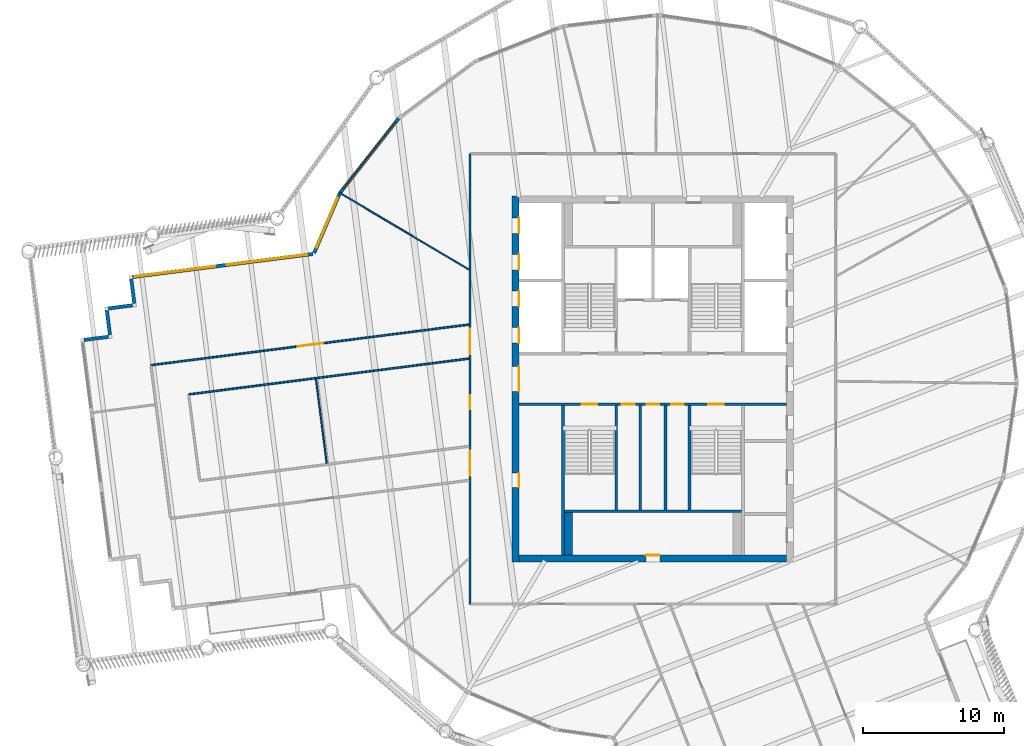
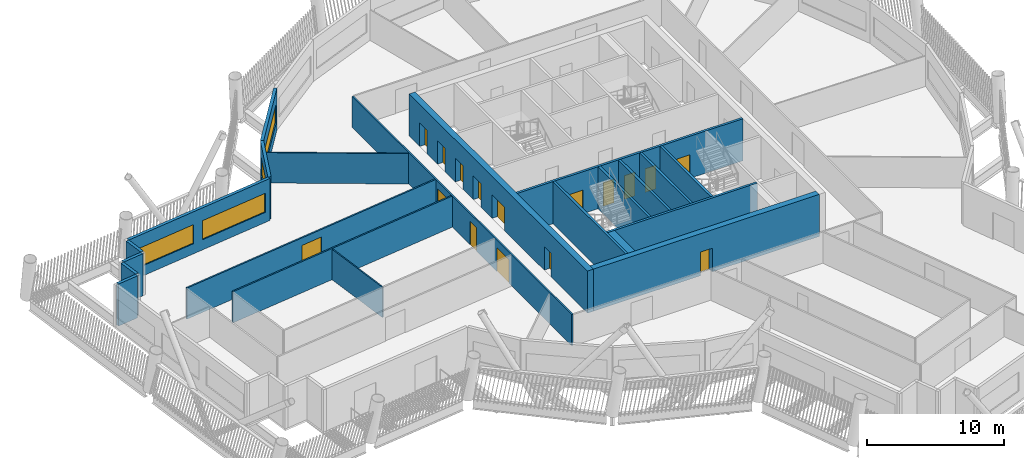
# One storey, part 4 of 20: 22 walls, 16 doors, 4 windows, 20 openings.
"""IFC4 building model written with IfcOpenShell, lengths in metres."""

from ifc_helpers import new_model, si_unit, direction, frame, frame_2d, origin, place, context, subcontext, project, spatial, rectangle, extrude, material, layer, layer_set, type_object, element, fill, save


model = new_model("IFC4")

# Units and contexts
model_context = context("Model", 3, precision=1e-05, world=origin(), true_north=direction((0.0, 1.0)))
body_context = subcontext(model_context, "Body", "Model", "MODEL_VIEW")
ifc_project = project(units=[si_unit("LENGTHUNIT", "METRE"), si_unit("AREAUNIT", "SQUARE_METRE"), si_unit("VOLUMEUNIT", "CUBIC_METRE"), si_unit("PLANEANGLEUNIT", "RADIAN"), si_unit("MASSUNIT", "GRAM", prefix="KILO")], contexts=[model_context])

# Site, building, storey
site_placement = place(None, origin())
site = spatial("IfcSite", under=ifc_project, at=site_placement, CompositionType="ELEMENT")
building_placement = place(site_placement, origin())
building = spatial("IfcBuilding", under=site, at=building_placement, Name="Tarsis Ring Headquarters", CompositionType="ELEMENT")
storey_placement = place(building_placement, frame((0.0, 0.0, 315.800048828125)))
storey = spatial("IfcBuildingStorey", under=building, at=storey_placement, Name="L74", CompositionType="ELEMENT", Elevation=315.800048828125)

# Walls
ifc_material_1 = material(Name="Blockwork", Category="masonry")
ifc_layer_1 = layer(ifc_material_1, 0.199951171875)
ifc_layer_set_1 = layer_set([ifc_layer_1], Name="Core blockwork wall 200")
wall_type_1 = type_object("IfcWallType", Name="Core blockwork wall 200", PredefinedType="PARTITIONING", material=ifc_layer_set_1)
for number, where, z_axis, x_axis, name in (
    (1, (-0.89990234375, -9.300048828125, 0.0), (0.0, 0.0, 1.0), (0.0, 1.0, 0.0), "Core partition SV1"),
    (2, (0.89990234375, -9.300048828125, 0.0), (0.0, 0.0, 1.0), (0.0, 1.0, 0.0), "Core partition SV2"),
):
    element("IfcWall", number, at=place(storey_placement, frame(where, z_axis=z_axis, x_axis=x_axis)), inside=storey, type_object=wall_type_1, Name=name, PredefinedType="PARTITIONING", context=body_context, shape_type="SweptSolid", body=[
        extrude(rectangle(XDim=7.400146484375, YDim=0.199951171875, at=frame_2d((3.7001953125, 0.0))), origin(), (0.0, 0.0, 1.0), 3.739990234375),
    ])

# Wall, openings, doors
ifc_material_2 = material(Name="Concrete C50/60", Category="concrete")
ifc_layer_2 = layer(ifc_material_2, 0.5)
ifc_layer_set_2 = layer_set([ifc_layer_2], Name="Core wall 500 C50/60")
wall_type_2 = type_object("IfcWallType", Name="Core wall 500 C50/60", PredefinedType="SHEAR", material=ifc_layer_set_2)
wall_1_placement = place(storey_placement, frame((-9.75, -13.0, 0.0), z_axis=(0.0, 0.0, 1.0), x_axis=(0.0, 1.0, 0.0)))
wall_1 = element("IfcWall", 3, at=wall_1_placement, inside=storey, type_object=wall_type_2, Name="Core wall OW", PredefinedType="SHEAR", context=body_context, shape_type="SweptSolid", body=[
    extrude(rectangle(XDim=26.0, YDim=0.5, at=frame_2d((13.0, 0.0))), origin(), (0.0, 0.0, 1.0), 3.739990234375),
])
opening_1_placement = place(wall_1_placement, frame((5.300048828125, 0.0, 0.0)))
opening_1 = element("IfcOpeningElement", 4, at=opening_1_placement, cuts=wall_1, Name="Opening L74-C01", PredefinedType="OPENING", context=body_context, shape_type="SweptSolid", body=[
    extrude(rectangle(XDim=1.0, YDim=2.10009765625, at=frame_2d((0.5, 1.050048828125))), frame((0.0, 0.260009765625, 0.0), z_axis=(0.0, -1.0, 0.0), x_axis=(1.0, 0.0, 0.0)), (0.0, 0.0, 1.0), 0.52001953125),
])
opening_2_placement = place(wall_1_placement, frame((12.10009765625, 0.0, 0.0)))
opening_2 = element("IfcOpeningElement", 5, at=opening_2_placement, cuts=wall_1, Name="Opening L74-C02", PredefinedType="OPENING", context=body_context, shape_type="SweptSolid", body=[
    extrude(rectangle(XDim=1.800048828125, YDim=2.10009765625, at=frame_2d((0.89990234375, 1.050048828125))), frame((0.0, 0.260009765625, 0.0), z_axis=(0.0, -1.0, 0.0), x_axis=(1.0, 0.0, 0.0)), (0.0, 0.0, 1.0), 0.52001953125),
])
opening_3_placement = place(wall_1_placement, frame((15.550048828125, 0.0, 0.0)))
opening_3 = element("IfcOpeningElement", 6, at=opening_3_placement, cuts=wall_1, Name="Opening LD-HR1", PredefinedType="OPENING", context=body_context, shape_type="SweptSolid", body=[
    extrude(rectangle(XDim=1.10009765625, YDim=2.10009765625, at=frame_2d((0.550048828125, 1.050048828125))), frame((0.0, 0.260009765625, 0.0), z_axis=(0.0, -1.0, 0.0), x_axis=(1.0, 0.0, 0.0)), (0.0, 0.0, 1.0), 0.52001953125),
])
opening_4_placement = place(wall_1_placement, frame((18.14990234375, 0.0, 0.0)))
opening_4 = element("IfcOpeningElement", 7, at=opening_4_placement, cuts=wall_1, Name="Opening LD-HR2", PredefinedType="OPENING", context=body_context, shape_type="SweptSolid", body=[
    extrude(rectangle(XDim=1.10009765625, YDim=2.10009765625, at=frame_2d((0.550048828125, 1.050048828125))), frame((0.0, 0.260009765625, 0.0), z_axis=(0.0, -1.0, 0.0), x_axis=(1.0, 0.0, 0.0)), (0.0, 0.0, 1.0), 0.52001953125),
])
opening_5_placement = place(wall_1_placement, frame((20.75, 0.0, 0.0)))
opening_5 = element("IfcOpeningElement", 8, at=opening_5_placement, cuts=wall_1, Name="Opening LD-HR3", PredefinedType="OPENING", context=body_context, shape_type="SweptSolid", body=[
    extrude(rectangle(XDim=1.10009765625, YDim=2.10009765625, at=frame_2d((0.550048828125, 1.050048828125))), frame((0.0, 0.260009765625, 0.0), z_axis=(0.0, -1.0, 0.0), x_axis=(1.0, 0.0, 0.0)), (0.0, 0.0, 1.0), 0.52001953125),
])
opening_6_placement = place(wall_1_placement, frame((23.35009765625, 0.0, 0.0)))
opening_6 = element("IfcOpeningElement", 9, at=opening_6_placement, cuts=wall_1, Name="Opening LD-HR4", PredefinedType="OPENING", context=body_context, shape_type="SweptSolid", body=[
    extrude(rectangle(XDim=1.10009765625, YDim=2.10009765625, at=frame_2d((0.550048828125, 1.050048828125))), frame((0.0, 0.260009765625, 0.0), z_axis=(0.0, -1.0, 0.0), x_axis=(1.0, 0.0, 0.0)), (0.0, 0.0, 1.0), 0.52001953125),
])
ifc_material_3 = material(Name="Steel S355", Category="steel")
door_type_1 = type_object("IfcDoorType", Name="Core entry door 1800x2100", OperationType="DOUBLE_DOOR_SINGLE_SWING", PredefinedType="DOOR", material=ifc_material_3)
door_1_placement = place(opening_2_placement, origin())
door_1 = element("IfcDoor", 10, at=door_1_placement, inside=storey, type_object=door_type_1, Name="Core entry door L74", OperationType="DOUBLE_DOOR_SINGLE_SWING", OverallHeight=2.10009765625, OverallWidth=1.800048828125, PredefinedType="DOOR", context=body_context, shape_type="SweptSolid", body=[
    extrude(rectangle(XDim=1.800048828125, YDim=2.10009765625, at=frame_2d((0.89990234375, 1.050048828125))), frame((0.0, -0.2001953125, 0.0), z_axis=(0.0, -1.0, 0.0), x_axis=(1.0, 0.0, 0.0)), (0.0, 0.0, 1.0), 0.050048828125),
])
fill(opening_2, door_1)
door_type_2 = type_object("IfcDoorType", Name="Core room door 1000x2100", OperationType="SINGLE_SWING_LEFT", PredefinedType="DOOR", material=ifc_material_3)
door_2_placement = place(opening_1_placement, origin())
door_2 = element("IfcDoor", 11, at=door_2_placement, inside=storey, type_object=door_type_2, Name="Core room door L74", OperationType="SINGLE_SWING_LEFT", OverallHeight=2.10009765625, OverallWidth=1.0, PredefinedType="DOOR", context=body_context, shape_type="SweptSolid", body=[
    extrude(rectangle(XDim=1.0, YDim=2.10009765625, at=frame_2d((0.5, 1.050048828125))), frame((0.0, -0.2001953125, 0.0), z_axis=(0.0, -1.0, 0.0), x_axis=(1.0, 0.0, 0.0)), (0.0, 0.0, 1.0), 0.050048828125),
])
fill(opening_1, door_2)
door_type_3 = type_object("IfcDoorType", Name="Landing door 1100x2100", OperationType="SLIDING_TO_LEFT", PredefinedType="DOOR", material=ifc_material_3)
door_3_placement = place(opening_3_placement, origin())
door_3 = element("IfcDoor", 12, at=door_3_placement, inside=storey, type_object=door_type_3, Name="Landing door HR1 L74", OperationType="SLIDING_TO_LEFT", OverallHeight=2.10009765625, OverallWidth=1.10009765625, PredefinedType="DOOR", context=body_context, shape_type="SweptSolid", body=[
    extrude(rectangle(XDim=1.10009765625, YDim=2.10009765625, at=frame_2d((0.550048828125, 1.050048828125))), frame((0.0, -0.2001953125, 0.0), z_axis=(0.0, -1.0, 0.0), x_axis=(1.0, 0.0, 0.0)), (0.0, 0.0, 1.0), 0.050048828125),
])
fill(opening_3, door_3)
door_4_placement = place(opening_4_placement, origin())
door_4 = element("IfcDoor", 13, at=door_4_placement, inside=storey, type_object=door_type_3, Name="Landing door HR2 L74", OperationType="SLIDING_TO_LEFT", OverallHeight=2.10009765625, OverallWidth=1.10009765625, PredefinedType="DOOR", context=body_context, shape_type="SweptSolid", body=[
    extrude(rectangle(XDim=1.10009765625, YDim=2.10009765625, at=frame_2d((0.550048828125, 1.050048828125))), frame((0.0, -0.2001953125, 0.0), z_axis=(0.0, -1.0, 0.0), x_axis=(1.0, 0.0, 0.0)), (0.0, 0.0, 1.0), 0.050048828125),
])
fill(opening_4, door_4)
door_5_placement = place(opening_5_placement, origin())
door_5 = element("IfcDoor", 14, at=door_5_placement, inside=storey, type_object=door_type_3, Name="Landing door HR3 L74", OperationType="SLIDING_TO_LEFT", OverallHeight=2.10009765625, OverallWidth=1.10009765625, PredefinedType="DOOR", context=body_context, shape_type="SweptSolid", body=[
    extrude(rectangle(XDim=1.10009765625, YDim=2.10009765625, at=frame_2d((0.550048828125, 1.050048828125))), frame((0.0, -0.2001953125, 0.0), z_axis=(0.0, -1.0, 0.0), x_axis=(1.0, 0.0, 0.0)), (0.0, 0.0, 1.0), 0.050048828125),
])
fill(opening_5, door_5)
door_6_placement = place(opening_6_placement, origin())
door_6 = element("IfcDoor", 15, at=door_6_placement, inside=storey, type_object=door_type_3, Name="Landing door HR4 L74", OperationType="SLIDING_TO_LEFT", OverallHeight=2.10009765625, OverallWidth=1.10009765625, PredefinedType="DOOR", context=body_context, shape_type="SweptSolid", body=[
    extrude(rectangle(XDim=1.10009765625, YDim=2.10009765625, at=frame_2d((0.550048828125, 1.050048828125))), frame((0.0, -0.2001953125, 0.0), z_axis=(0.0, -1.0, 0.0), x_axis=(1.0, 0.0, 0.0)), (0.0, 0.0, 1.0), 0.050048828125),
])
fill(opening_6, door_6)

# Wall, opening, door
wall_2_placement = place(storey_placement, frame((-9.5, -12.75, 0.0), z_axis=(0.0, 0.0, 1.0), x_axis=(1.0, 0.0, 0.0)))
wall_2 = element("IfcWall", 16, at=wall_2_placement, inside=storey, type_object=wall_type_2, Name="Core wall OS", PredefinedType="SHEAR", context=body_context, shape_type="SweptSolid", body=[
    extrude(rectangle(XDim=19.0, YDim=0.5, at=frame_2d((9.5, 0.0))), origin(), (0.0, 0.0, 1.0), 3.739990234375),
])
opening_7_placement = place(wall_2_placement, frame((9.0, 0.0, 0.0)))
opening_7 = element("IfcOpeningElement", 17, at=opening_7_placement, cuts=wall_2, Name="Opening L74-C17", PredefinedType="OPENING", context=body_context, shape_type="SweptSolid", body=[
    extrude(rectangle(XDim=1.0, YDim=2.10009765625, at=frame_2d((0.5, 1.050048828125))), frame((0.0, 0.260009765625, 0.0), z_axis=(0.0, -1.0, 0.0), x_axis=(1.0, 0.0, 0.0)), (0.0, 0.0, 1.0), 0.52001953125),
])
door_7_placement = place(opening_7_placement, origin())
door_7 = element("IfcDoor", 18, at=door_7_placement, inside=storey, type_object=door_type_2, Name="Core room door L74", OperationType="SINGLE_SWING_LEFT", OverallHeight=2.10009765625, OverallWidth=1.0, PredefinedType="DOOR", context=body_context, shape_type="SweptSolid", body=[
    extrude(rectangle(XDim=1.0, YDim=2.10009765625, at=frame_2d((0.5, 1.050048828125))), frame((0.0, 0.25, 0.0), z_axis=(0.0, -1.0, 0.0), x_axis=(1.0, 0.0, 0.0)), (0.0, 0.0, 1.0), 0.050048828125),
])
fill(opening_7, door_7)

# Walls
ifc_material_4 = material(Name="Gypsum board on steel studs", Category="steel")
ifc_layer_3 = layer(ifc_material_4, 0.10009765625)
ifc_layer_set_3 = layer_set([ifc_layer_3], Name="FL partition 100 unrated")
wall_type_3 = type_object("IfcWallType", Name="FL partition 100 unrated", PredefinedType="PARTITIONING", material=ifc_layer_set_3)
wall_3_placement = place(storey_placement, frame((-22.306640625, 13.25537109375, 0.0), z_axis=(0.0, 0.0, 1.0), x_axis=(0.859670314919, -0.510849243561, 0.0)))
element("IfcWall", 19, at=wall_3_placement, inside=storey, type_object=wall_type_3, Name="Partition PW3", PredefinedType="PARTITIONING", context=body_context, shape_type="SweptSolid", body=[
    extrude(rectangle(XDim=10.73583984375, YDim=0.10009765625, at=frame_2d((5.367919921875, 0.0))), origin(), (0.0, 0.0, 1.0), 2.699951171875),
])
wall_4_placement = place(storey_placement, frame((-23.941162109375, -0.013916015625, 0.0), z_axis=(0.0, 0.0, 1.0), x_axis=(0.126720741066, -0.991938432456, 0.0)))
element("IfcWall", 20, at=wall_4_placement, inside=storey, type_object=wall_type_3, Name="Partition PW3", PredefinedType="PARTITIONING", context=body_context, shape_type="SweptSolid", body=[
    extrude(rectangle(XDim=6.039794921875, YDim=0.10009765625, at=frame_2d((3.02001953125, 0.0))), origin(), (0.0, 0.0, 1.0), 2.699951171875),
])

# Wall, openings, doors
ifc_layer_4 = layer(ifc_material_4, 0.125)
ifc_layer_set_4 = layer_set([ifc_layer_4], Name="FL partition 125 EI 60 H2770")
wall_type_4 = type_object("IfcWallType", Name="FL partition 125 EI 60 H2770", PredefinedType="PARTITIONING", material=ifc_layer_set_4)
wall_5_placement = place(storey_placement, frame((-13.0, -16.0, 0.0), z_axis=(0.0, 0.0, 1.0), x_axis=(0.0, 1.0, 0.0)))
wall_5 = element("IfcWall", 21, at=wall_5_placement, inside=storey, type_object=wall_type_4, Name="Partition PW1", PredefinedType="PARTITIONING", context=body_context, shape_type="SweptSolid", body=[
    extrude(rectangle(XDim=32.0, YDim=0.125, at=frame_2d((16.0, 0.0))), origin(), (0.0, 0.0, 1.0), 2.77001953125),
])
opening_8_placement = place(wall_5_placement, frame((13.83935546875, 0.0, 0.0)))
opening_8 = element("IfcOpeningElement", 22, at=opening_8_placement, cuts=wall_5, Name="Opening D74.12", PredefinedType="OPENING", context=body_context, shape_type="SweptSolid", body=[
    extrude(rectangle(XDim=1.0, YDim=2.10009765625, at=frame_2d((0.5, 1.050048828125))), frame((0.0, 0.072509765625, 0.0), z_axis=(0.0, -1.0, 0.0), x_axis=(1.0, 0.0, 0.0)), (0.0, 0.0, 1.0), 0.14501953125),
])
opening_9_placement = place(wall_5_placement, frame((9.114501953125, 0.0, 0.0)))
opening_9 = element("IfcOpeningElement", 23, at=opening_9_placement, cuts=wall_5, Name="Opening D74.16", PredefinedType="OPENING", context=body_context, shape_type="SweptSolid", body=[
    extrude(rectangle(XDim=1.800048828125, YDim=2.10009765625, at=frame_2d((0.89990234375, 1.050048828125))), frame((0.0, 0.072509765625, 0.0), z_axis=(0.0, -1.0, 0.0), x_axis=(1.0, 0.0, 0.0)), (0.0, 0.0, 1.0), 0.14501953125),
])
opening_10_placement = place(wall_5_placement, frame((17.76416015625, 0.0, 0.0)))
opening_10 = element("IfcOpeningElement", 24, at=opening_10_placement, cuts=wall_5, Name="Opening D74.17", PredefinedType="OPENING", context=body_context, shape_type="SweptSolid", body=[
    extrude(rectangle(XDim=1.800048828125, YDim=2.10009765625, at=frame_2d((0.89990234375, 1.050048828125))), frame((0.0, 0.072509765625, 0.0), z_axis=(0.0, -1.0, 0.0), x_axis=(1.0, 0.0, 0.0)), (0.0, 0.0, 1.0), 0.14501953125),
])
ifc_material_5 = material(Name="Fire-rated timber door leaf in steel frame", Category="steel")
door_type_4 = type_object("IfcDoorType", Name="FL door FD60-1000", OperationType="NOTDEFINED", PredefinedType="DOOR", material=ifc_material_5)
door_8_placement = place(opening_8_placement, origin())
door_8 = element("IfcDoor", 25, at=door_8_placement, inside=storey, type_object=door_type_4, Name="Door D74.12", OperationType="SINGLE_SWING_RIGHT", OverallHeight=2.10009765625, OverallWidth=1.0, PredefinedType="DOOR", context=body_context, shape_type="SweptSolid", body=[
    extrude(rectangle(XDim=1.0, YDim=2.10009765625, at=frame_2d((0.5, 1.050048828125))), frame((0.0, 0.02490234375, 0.0), z_axis=(0.0, -1.0, 0.0), x_axis=(1.0, 0.0, 0.0)), (0.0, 0.0, 1.0), 0.050048828125),
])
fill(opening_8, door_8)
door_type_5 = type_object("IfcDoorType", Name="FL door FD60-1800", OperationType="DOUBLE_DOOR_SINGLE_SWING", PredefinedType="DOOR", material=ifc_material_5)
door_9_placement = place(opening_9_placement, origin())
door_9 = element("IfcDoor", 26, at=door_9_placement, inside=storey, type_object=door_type_5, Name="Door D74.16", OperationType="DOUBLE_DOOR_SINGLE_SWING", OverallHeight=2.10009765625, OverallWidth=1.800048828125, PredefinedType="DOOR", context=body_context, shape_type="SweptSolid", body=[
    extrude(rectangle(XDim=1.800048828125, YDim=2.10009765625, at=frame_2d((0.89990234375, 1.050048828125))), frame((0.0, 0.02490234375, 0.0), z_axis=(0.0, -1.0, 0.0), x_axis=(1.0, 0.0, 0.0)), (0.0, 0.0, 1.0), 0.050048828125),
])
fill(opening_9, door_9)
door_10_placement = place(opening_10_placement, origin())
door_10 = element("IfcDoor", 27, at=door_10_placement, inside=storey, type_object=door_type_5, Name="Door D74.17", OperationType="DOUBLE_DOOR_SINGLE_SWING", OverallHeight=2.10009765625, OverallWidth=1.800048828125, PredefinedType="DOOR", context=body_context, shape_type="SweptSolid", body=[
    extrude(rectangle(XDim=1.800048828125, YDim=2.10009765625, at=frame_2d((0.89990234375, 1.050048828125))), frame((0.0, 0.02490234375, 0.0), z_axis=(0.0, -1.0, 0.0), x_axis=(1.0, 0.0, 0.0)), (0.0, 0.0, 1.0), 0.050048828125),
])
fill(opening_10, door_10)

# Wall, opening, door
wall_6_placement = place(storey_placement, frame((-35.67138671875, 0.977783203125, 0.0), z_axis=(0.0, 0.0, 1.0), x_axis=(0.991939639281, 0.126711293981, 0.0)))
wall_6 = element("IfcWall", 28, at=wall_6_placement, inside=storey, type_object=wall_type_4, Name="Partition PW1", PredefinedType="PARTITIONING", context=body_context, shape_type="SweptSolid", body=[
    extrude(rectangle(XDim=22.78564453125, YDim=0.125, at=frame_2d((11.392822265625, 0.0))), origin(), (0.0, 0.0, 1.0), 2.77001953125),
])
opening_11_placement = place(wall_6_placement, frame((10.52783203125, 0.0, 0.0)))
opening_11 = element("IfcOpeningElement", 29, at=opening_11_placement, cuts=wall_6, Name="Opening D74.02", PredefinedType="OPENING", context=body_context, shape_type="SweptSolid", body=[
    extrude(rectangle(XDim=1.800048828125, YDim=2.10009765625, at=frame_2d((0.89990234375, 1.050048828125))), frame((0.0, 0.072509765625, 0.0), z_axis=(0.0, -1.0, 0.0), x_axis=(1.0, 0.0, 0.0)), (0.0, 0.0, 1.0), 0.14501953125),
])
door_11_placement = place(opening_11_placement, origin())
door_11 = element("IfcDoor", 30, at=door_11_placement, inside=storey, type_object=door_type_5, Name="Door D74.02", OperationType="DOUBLE_DOOR_SINGLE_SWING", OverallHeight=2.10009765625, OverallWidth=1.800048828125, PredefinedType="DOOR", context=body_context, shape_type="SweptSolid", body=[
    extrude(rectangle(XDim=1.800048828125, YDim=2.10009765625, at=frame_2d((0.89990234375, 1.050048828125))), frame((0.0, 0.02490234375, 0.0), z_axis=(0.0, -1.0, 0.0), x_axis=(1.0, 0.0, 0.0)), (0.0, 0.0, 1.0), 0.050048828125),
])
fill(opening_11, door_11)

# Wall
wall_7_placement = place(storey_placement, frame((-32.98681640625, -1.098876953125, 0.0), z_axis=(0.0, 0.0, 1.0), x_axis=(0.991938662268, 0.126718942146, 0.0)))
element("IfcWall", 31, at=wall_7_placement, inside=storey, type_object=wall_type_4, Name="Partition PW1", PredefinedType="PARTITIONING", context=body_context, shape_type="SweptSolid", body=[
    extrude(rectangle(XDim=20.079345703125, YDim=0.125, at=frame_2d((10.03955078125, 0.0))), origin(), (0.0, 0.0, 1.0), 2.77001953125),
])

# Wall, opening, window
ifc_material_6 = material(Name="Terracotta clad insulated panel wall", Category="masonry")
ifc_layer_5 = layer(ifc_material_6, 0.25)
ifc_layer_set_5 = layer_set([ifc_layer_5], Name="Facade wall terracotta panel 250")
wall_type_5 = type_object("IfcWallType", Name="Facade wall terracotta panel 250", PredefinedType="STANDARD", material=ifc_layer_set_5)
wall_8_placement = place(storey_placement, frame((-18.074462890625, 18.51123046875, 0.0), z_axis=(0.0, 0.0, 1.0), x_axis=(-0.6186745859, -0.785647348854, 0.0)))
wall_8 = element("IfcWall", 32, at=wall_8_placement, inside=storey, type_object=wall_type_5, Name="External wall L74-29", PredefinedType="STANDARD", context=body_context, shape_type="SweptSolid", body=[
    extrude(rectangle(XDim=6.721435546875, YDim=0.25, at=frame_2d((3.36083984375, 0.0))), origin(), (0.0, 0.0, 1.0), 3.739990234375),
])
opening_12_placement = place(wall_8_placement, frame((0.3857421875, 0.0, 0.89990234375)))
opening_12 = element("IfcOpeningElement", 33, at=opening_12_placement, cuts=wall_8, Name="Opening WN07", PredefinedType="OPENING", context=body_context, shape_type="SweptSolid", body=[
    extrude(rectangle(XDim=5.949951171875, YDim=1.699951171875, at=frame_2d((2.97509765625, 0.85009765625))), frame((0.0, 0.135009765625, 0.0), z_axis=(0.0, -1.0, 0.0), x_axis=(1.0, 0.0, 0.0)), (0.0, 0.0, 1.0), 0.27001953125),
])
ifc_material_7 = material(Name="Aluminium framed double glazing", Category="aluminium")
window_type_1 = type_object("IfcWindowType", Name="Facade window 5950 x 1700", PartitioningType="SINGLE_PANEL", PredefinedType="WINDOW", material=ifc_material_7)
window_1_placement = place(opening_12_placement, origin())
window_1 = element("IfcWindow", 34, at=window_1_placement, inside=storey, type_object=window_type_1, Name="Window L74-29.1", OverallHeight=1.699951171875, OverallWidth=5.949951171875, PartitioningType="SINGLE_PANEL", PredefinedType="WINDOW", context=body_context, shape_type="SweptSolid", body=[
    extrude(rectangle(XDim=5.949951171875, YDim=1.699951171875, at=frame_2d((2.97509765625, 0.85009765625))), frame((0.0, 0.030029296875, 0.0), z_axis=(0.0, -1.0, 0.0), x_axis=(1.0, 0.0, 0.0)), (0.0, 0.0, 1.0), 0.06005859375),
])
fill(opening_12, window_1)

wall_9_placement = place(storey_placement, frame((-22.24951171875, 13.202392578125, 0.0), z_axis=(0.0, 0.0, 1.0), x_axis=(-0.394302113854, -0.91898087195, 0.0)))
wall_9 = element("IfcWall", 35, at=wall_9_placement, inside=storey, type_object=wall_type_5, Name="External wall L74-30", PredefinedType="STANDARD", context=body_context, shape_type="SweptSolid", body=[
    extrude(rectangle(XDim=4.61767578125, YDim=0.25, at=frame_2d((2.308837890625, 0.0))), origin(), (0.0, 0.0, 1.0), 3.739990234375),
])
opening_13_placement = place(wall_9_placement, frame((0.367431640625, 0.0, 0.89990234375)))
opening_13 = element("IfcOpeningElement", 36, at=opening_13_placement, cuts=wall_9, Name="Opening WN02", PredefinedType="OPENING", context=body_context, shape_type="SweptSolid", body=[
    extrude(rectangle(XDim=3.85009765625, YDim=1.699951171875, at=frame_2d((1.925048828125, 0.85009765625))), frame((0.0, 0.135009765625, 0.0), z_axis=(0.0, -1.0, 0.0), x_axis=(1.0, 0.0, 0.0)), (0.0, 0.0, 1.0), 0.27001953125),
])
window_type_2 = type_object("IfcWindowType", Name="Facade window 3850 x 1700", PartitioningType="SINGLE_PANEL", PredefinedType="WINDOW", material=ifc_material_7)
window_2_placement = place(opening_13_placement, origin())
window_2 = element("IfcWindow", 37, at=window_2_placement, inside=storey, type_object=window_type_2, Name="Window L74-30.1", OverallHeight=1.699951171875, OverallWidth=3.85009765625, PartitioningType="SINGLE_PANEL", PredefinedType="WINDOW", context=body_context, shape_type="SweptSolid", body=[
    extrude(rectangle(XDim=3.85009765625, YDim=1.699951171875, at=frame_2d((1.925048828125, 0.85009765625))), frame((0.0, 0.030029296875, 0.0), z_axis=(0.0, -1.0, 0.0), x_axis=(1.0, 0.0, 0.0)), (0.0, 0.0, 1.0), 0.06005859375),
])
fill(opening_13, window_2)

# Wall, openings, windows
wall_10_placement = place(storey_placement, frame((-24.169189453125, 8.884033203125, 0.0), z_axis=(0.0, 0.0, 1.0), x_axis=(-0.991937080216, -0.126731325617, 0.0)))
wall_10 = element("IfcWall", 38, at=wall_10_placement, inside=storey, type_object=wall_type_5, Name="External wall L74-31", PredefinedType="STANDARD", context=body_context, shape_type="SweptSolid", body=[
    extrude(rectangle(XDim=12.9013671875, YDim=0.25, at=frame_2d((6.45068359375, 0.0))), origin(), (0.0, 0.0, 1.0), 3.739990234375),
])
opening_14_placement = place(wall_10_placement, frame((0.412841796875, 0.0, 0.89990234375)))
opening_14 = element("IfcOpeningElement", 39, at=opening_14_placement, cuts=wall_10, Name="Opening WN06", PredefinedType="OPENING", context=body_context, shape_type="SweptSolid", body=[
    extrude(rectangle(XDim=5.75, YDim=1.699951171875, at=frame_2d((2.875, 0.85009765625))), frame((0.0, 0.135009765625, 0.0), z_axis=(0.0, -1.0, 0.0), x_axis=(1.0, 0.0, 0.0)), (0.0, 0.0, 1.0), 0.27001953125),
])
opening_15_placement = place(wall_10_placement, frame((6.988525390625, 0.0, 0.89990234375)))
opening_15 = element("IfcOpeningElement", 40, at=opening_15_placement, cuts=wall_10, Name="Opening WN06", PredefinedType="OPENING", context=body_context, shape_type="SweptSolid", body=[
    extrude(rectangle(XDim=5.75, YDim=1.699951171875, at=frame_2d((2.875, 0.85009765625))), frame((0.0, 0.135009765625, 0.0), z_axis=(0.0, -1.0, 0.0), x_axis=(1.0, 0.0, 0.0)), (0.0, 0.0, 1.0), 0.27001953125),
])
window_type_3 = type_object("IfcWindowType", Name="Facade window 5750 x 1700", PartitioningType="SINGLE_PANEL", PredefinedType="WINDOW", material=ifc_material_7)
window_3_placement = place(opening_14_placement, origin())
window_3 = element("IfcWindow", 41, at=window_3_placement, inside=storey, type_object=window_type_3, Name="Window L74-31.1", OverallHeight=1.699951171875, OverallWidth=5.75, PartitioningType="SINGLE_PANEL", PredefinedType="WINDOW", context=body_context, shape_type="SweptSolid", body=[
    extrude(rectangle(XDim=5.75, YDim=1.699951171875, at=frame_2d((2.875, 0.85009765625))), frame((0.0, 0.030029296875, 0.0), z_axis=(0.0, -1.0, 0.0), x_axis=(1.0, 0.0, 0.0)), (0.0, 0.0, 1.0), 0.06005859375),
])
fill(opening_14, window_3)
window_4_placement = place(opening_15_placement, origin())
window_4 = element("IfcWindow", 42, at=window_4_placement, inside=storey, type_object=window_type_3, Name="Window L74-31.2", OverallHeight=1.699951171875, OverallWidth=5.75, PartitioningType="SINGLE_PANEL", PredefinedType="WINDOW", context=body_context, shape_type="SweptSolid", body=[
    extrude(rectangle(XDim=5.75, YDim=1.699951171875, at=frame_2d((2.875, 0.85009765625))), frame((0.0, 0.030029296875, 0.0), z_axis=(0.0, -1.0, 0.0), x_axis=(1.0, 0.0, 0.0)), (0.0, 0.0, 1.0), 0.06005859375),
])
fill(opening_15, window_4)

# Walls
wall_11_placement = place(storey_placement, frame((-37.07470703125, 7.109375, 0.0), z_axis=(0.0, 0.0, 1.0), x_axis=(0.126661090471, -0.991946051033, 0.0)))
element("IfcWall", 43, at=wall_11_placement, inside=storey, type_object=wall_type_5, Name="External wall L74-32", PredefinedType="STANDARD", context=body_context, shape_type="SweptSolid", body=[
    extrude(rectangle(XDim=1.750244140625, YDim=0.25, at=frame_2d((0.875, 0.0))), origin(), (0.0, 0.0, 1.0), 3.739990234375),
])
for number, where, z_axis, x_axis, name in (
    (44, (-36.961181640625, 5.233642578125, 0.0), (0.0, 0.0, 1.0), (-0.991926272417, -0.126815890524, 0.0), "External wall L74-33"),
    (45, (-38.80517578125, 4.871826171875, 0.0), (0.0, 0.0, 1.0), (0.126678619112, -0.991943812653, 0.0), "External wall L74-34"),
    (46, (-38.691650390625, 2.996337890625, 0.0), (0.0, 0.0, 1.0), (-0.991926272417, -0.126815890524, 0.0), "External wall L74-35"),
):
    element("IfcWall", number, at=place(storey_placement, frame(where, z_axis=z_axis, x_axis=x_axis)), inside=storey, type_object=wall_type_5, Name=name, PredefinedType="STANDARD", context=body_context, shape_type="SweptSolid", body=[
        extrude(rectangle(XDim=1.75, YDim=0.25, at=frame_2d((0.875, 0.0))), origin(), (0.0, 0.0, 1.0), 3.739990234375),
    ])
ifc_material_8 = material(Name="Concrete C32/40", Category="concrete")
ifc_layer_6 = layer(ifc_material_8, 0.60009765625)
ifc_layer_set_6 = layer_set([ifc_layer_6], Name="Shaft end wall 600 C32/40")
wall_type_6 = type_object("IfcWallType", Name="Shaft end wall 600 C32/40", PredefinedType="SOLIDWALL", material=ifc_layer_set_6)
wall_12_placement = place(storey_placement, frame((-6.0, -12.5, 0.0), z_axis=(0.0, 0.0, 1.0), x_axis=(0.0, 1.0, 0.0)))
element("IfcWall", 47, at=wall_12_placement, inside=storey, type_object=wall_type_6, Name="Core shaft wall SNE1", PredefinedType="SOLIDWALL", context=body_context, shape_type="SweptSolid", body=[
    extrude(rectangle(XDim=3.0, YDim=0.60009765625, at=frame_2d((1.5, 0.0))), origin(), (0.0, 0.0, 1.0), 3.739990234375),
])

# Wall, openings, doors
ifc_layer_7 = layer(ifc_material_8, 0.199951171875)
ifc_layer_set_7 = layer_set([ifc_layer_7], Name="Shaft wall 200 C32/40")
wall_type_7 = type_object("IfcWallType", Name="Shaft wall 200 C32/40", PredefinedType="SOLIDWALL", material=ifc_layer_set_7)
wall_13_placement = place(storey_placement, frame((-9.5, -1.800048828125, 0.0), z_axis=(0.0, 0.0, 1.0), x_axis=(1.0, 0.0, 0.0)))
wall_13 = element("IfcWall", 48, at=wall_13_placement, inside=storey, type_object=wall_type_7, Name="Core shaft wall CS", PredefinedType="SOLIDWALL", context=body_context, shape_type="SweptSolid", body=[
    extrude(rectangle(XDim=19.0, YDim=0.199951171875, at=frame_2d((9.5, 0.0))), origin(), (0.0, 0.0, 1.0), 3.739990234375),
])
opening_16_placement = place(wall_13_placement, frame((4.449951171875, 0.0, 0.0)))
opening_16 = element("IfcOpeningElement", 49, at=opening_16_placement, cuts=wall_13, Name="Opening L74-C21", PredefinedType="OPENING", context=body_context, shape_type="SweptSolid", body=[
    extrude(rectangle(XDim=1.10009765625, YDim=2.10009765625, at=frame_2d((0.550048828125, 1.050048828125))), frame((0.0, 0.10986328125, 0.0), z_axis=(0.0, -1.0, 0.0), x_axis=(1.0, 0.0, 0.0)), (0.0, 0.0, 1.0), 0.219970703125),
])
opening_17_placement = place(wall_13_placement, frame((7.300048828125, 0.0, 0.0)))
opening_17 = element("IfcOpeningElement", 50, at=opening_17_placement, cuts=wall_13, Name="Opening L74-C22", PredefinedType="OPENING", context=body_context, shape_type="SweptSolid", body=[
    extrude(rectangle(XDim=0.89990234375, YDim=2.10009765625, at=frame_2d((0.449951171875, 1.050048828125))), frame((0.0, 0.10986328125, 0.0), z_axis=(0.0, -1.0, 0.0), x_axis=(1.0, 0.0, 0.0)), (0.0, 0.0, 1.0), 0.219970703125),
])
opening_18_placement = place(wall_13_placement, frame((9.050048828125, 0.0, 0.0)))
opening_18 = element("IfcOpeningElement", 51, at=opening_18_placement, cuts=wall_13, Name="Opening L74-C23", PredefinedType="OPENING", context=body_context, shape_type="SweptSolid", body=[
    extrude(rectangle(XDim=0.89990234375, YDim=2.10009765625, at=frame_2d((0.449951171875, 1.050048828125))), frame((0.0, 0.10986328125, 0.0), z_axis=(0.0, -1.0, 0.0), x_axis=(1.0, 0.0, 0.0)), (0.0, 0.0, 1.0), 0.219970703125),
])
opening_19_placement = place(wall_13_placement, frame((10.800048828125, 0.0, 0.0)))
opening_19 = element("IfcOpeningElement", 52, at=opening_19_placement, cuts=wall_13, Name="Opening L74-C24", PredefinedType="OPENING", context=body_context, shape_type="SweptSolid", body=[
    extrude(rectangle(XDim=0.89990234375, YDim=2.10009765625, at=frame_2d((0.449951171875, 1.050048828125))), frame((0.0, 0.10986328125, 0.0), z_axis=(0.0, -1.0, 0.0), x_axis=(1.0, 0.0, 0.0)), (0.0, 0.0, 1.0), 0.219970703125),
])
opening_20_placement = place(wall_13_placement, frame((13.449951171875, 0.0, 0.0)))
opening_20 = element("IfcOpeningElement", 53, at=opening_20_placement, cuts=wall_13, Name="Opening L74-C25", PredefinedType="OPENING", context=body_context, shape_type="SweptSolid", body=[
    extrude(rectangle(XDim=1.10009765625, YDim=2.10009765625, at=frame_2d((0.550048828125, 1.050048828125))), frame((0.0, 0.10986328125, 0.0), z_axis=(0.0, -1.0, 0.0), x_axis=(1.0, 0.0, 0.0)), (0.0, 0.0, 1.0), 0.219970703125),
])
door_type_6 = type_object("IfcDoorType", Name="Stair door 1100x2100", OperationType="SINGLE_SWING_LEFT", PredefinedType="DOOR", material=ifc_material_3)
door_12_placement = place(opening_16_placement, origin())
door_12 = element("IfcDoor", 54, at=door_12_placement, inside=storey, type_object=door_type_6, Name="Stair door L74", OperationType="SINGLE_SWING_LEFT", OverallHeight=2.10009765625, OverallWidth=1.10009765625, PredefinedType="DOOR", context=body_context, shape_type="SweptSolid", body=[
    extrude(rectangle(XDim=1.10009765625, YDim=2.10009765625, at=frame_2d((0.550048828125, 1.050048828125))), frame((0.0, 0.02490234375, 0.0), z_axis=(0.0, -1.0, 0.0), x_axis=(1.0, 0.0, 0.0)), (0.0, 0.0, 1.0), 0.050048828125),
])
fill(opening_16, door_12)
door_13_placement = place(opening_20_placement, origin())
door_13 = element("IfcDoor", 55, at=door_13_placement, inside=storey, type_object=door_type_6, Name="Stair door L74", OperationType="SINGLE_SWING_LEFT", OverallHeight=2.10009765625, OverallWidth=1.10009765625, PredefinedType="DOOR", context=body_context, shape_type="SweptSolid", body=[
    extrude(rectangle(XDim=1.10009765625, YDim=2.10009765625, at=frame_2d((0.550048828125, 1.050048828125))), frame((0.0, 0.02490234375, 0.0), z_axis=(0.0, -1.0, 0.0), x_axis=(1.0, 0.0, 0.0)), (0.0, 0.0, 1.0), 0.050048828125),
])
fill(opening_20, door_13)
door_type_7 = type_object("IfcDoorType", Name="WC door 900x2100", OperationType="SINGLE_SWING_LEFT", PredefinedType="DOOR", material=ifc_material_3)
door_14_placement = place(opening_17_placement, origin())
door_14 = element("IfcDoor", 56, at=door_14_placement, inside=storey, type_object=door_type_7, Name="WC door L74", OperationType="SINGLE_SWING_LEFT", OverallHeight=2.10009765625, OverallWidth=0.89990234375, PredefinedType="DOOR", context=body_context, shape_type="SweptSolid", body=[
    extrude(rectangle(XDim=0.89990234375, YDim=2.10009765625, at=frame_2d((0.449951171875, 1.050048828125))), frame((0.0, 0.02490234375, 0.0), z_axis=(0.0, -1.0, 0.0), x_axis=(1.0, 0.0, 0.0)), (0.0, 0.0, 1.0), 0.050048828125),
])
fill(opening_17, door_14)
door_15_placement = place(opening_18_placement, origin())
door_15 = element("IfcDoor", 57, at=door_15_placement, inside=storey, type_object=door_type_7, Name="WC door L74", OperationType="SINGLE_SWING_LEFT", OverallHeight=2.10009765625, OverallWidth=0.89990234375, PredefinedType="DOOR", context=body_context, shape_type="SweptSolid", body=[
    extrude(rectangle(XDim=0.89990234375, YDim=2.10009765625, at=frame_2d((0.449951171875, 1.050048828125))), frame((0.0, 0.02490234375, 0.0), z_axis=(0.0, -1.0, 0.0), x_axis=(1.0, 0.0, 0.0)), (0.0, 0.0, 1.0), 0.050048828125),
])
fill(opening_18, door_15)
door_16_placement = place(opening_19_placement, origin())
door_16 = element("IfcDoor", 58, at=door_16_placement, inside=storey, type_object=door_type_7, Name="WC door L74", OperationType="SINGLE_SWING_LEFT", OverallHeight=2.10009765625, OverallWidth=0.89990234375, PredefinedType="DOOR", context=body_context, shape_type="SweptSolid", body=[
    extrude(rectangle(XDim=0.89990234375, YDim=2.10009765625, at=frame_2d((0.449951171875, 1.050048828125))), frame((0.0, 0.02490234375, 0.0), z_axis=(0.0, -1.0, 0.0), x_axis=(1.0, 0.0, 0.0)), (0.0, 0.0, 1.0), 0.050048828125),
])
fill(opening_19, door_16)

# Walls
wall_14_placement = place(storey_placement, frame((-6.39990234375, -12.5, 0.0), z_axis=(0.0, 0.0, 1.0), x_axis=(0.0, 1.0, 0.0)))
element("IfcWall", 59, at=wall_14_placement, inside=storey, type_object=wall_type_7, Name="Core shaft wall WB1", PredefinedType="SOLIDWALL", context=body_context, shape_type="SweptSolid", body=[
    extrude(rectangle(XDim=10.60009765625, YDim=0.199951171875, at=frame_2d((5.300048828125, 0.0))), origin(), (0.0, 0.0, 1.0), 3.739990234375),
])
wall_15_placement = place(storey_placement, frame((-6.300048828125, -9.39990234375, 0.0), z_axis=(0.0, 0.0, 1.0), x_axis=(1.0, 0.0, 0.0)))
element("IfcWall", 60, at=wall_15_placement, inside=storey, type_object=wall_type_7, Name="Core shaft wall SB", PredefinedType="SOLIDWALL", context=body_context, shape_type="SweptSolid", body=[
    extrude(rectangle(XDim=12.60009765625, YDim=0.199951171875, at=frame_2d((6.300048828125, 0.0))), origin(), (0.0, 0.0, 1.0), 3.739990234375),
])
for number, where, z_axis, x_axis, name in (
    (61, (-2.60009765625, -9.300048828125, 0.0), (0.0, 0.0, 1.0), (0.0, 1.0, 0.0), "Core shaft wall SW3"),
    (62, (2.60009765625, -9.300048828125, 0.0), (0.0, 0.0, 1.0), (0.0, 1.0, 0.0), "Core shaft wall SW4"),
):
    element("IfcWall", number, at=place(storey_placement, frame(where, z_axis=z_axis, x_axis=x_axis)), inside=storey, type_object=wall_type_7, Name=name, PredefinedType="SOLIDWALL", context=body_context, shape_type="SweptSolid", body=[
        extrude(rectangle(XDim=7.400146484375, YDim=0.199951171875, at=frame_2d((3.7001953125, 0.0))), origin(), (0.0, 0.0, 1.0), 3.739990234375),
    ])

save(model, "model.ifc")
